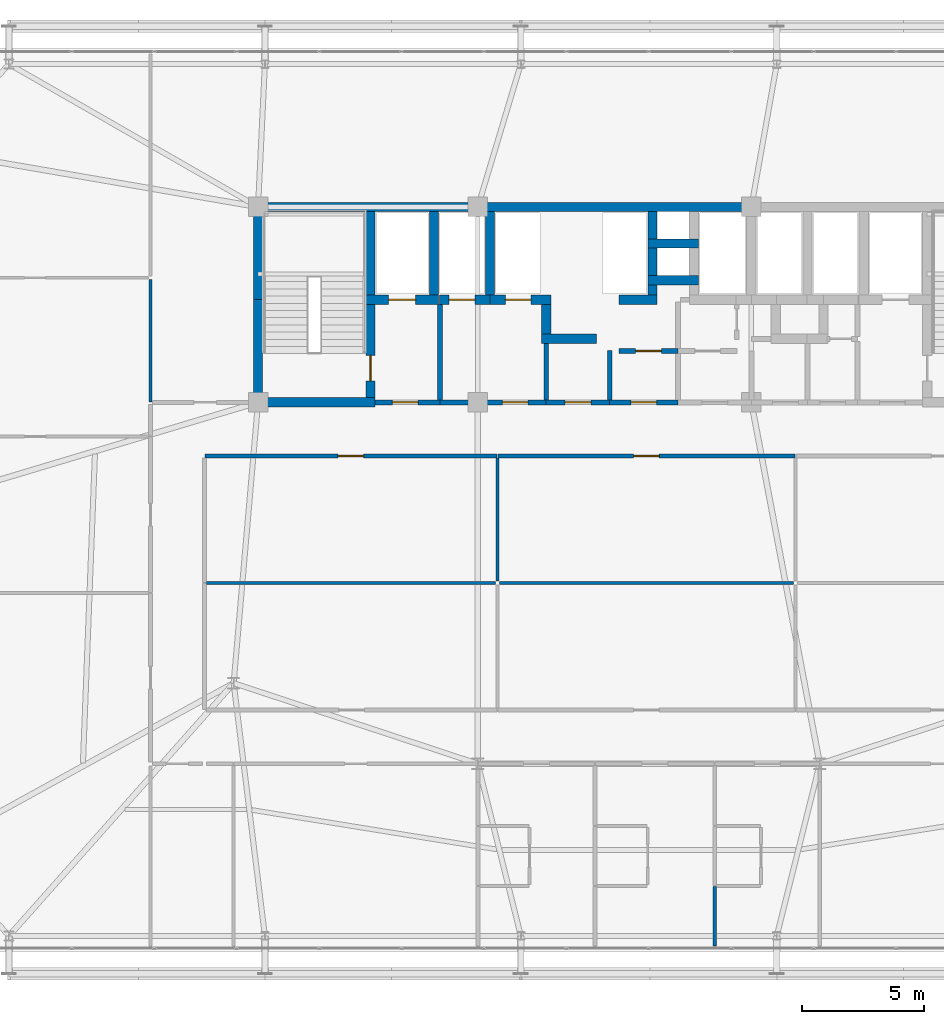
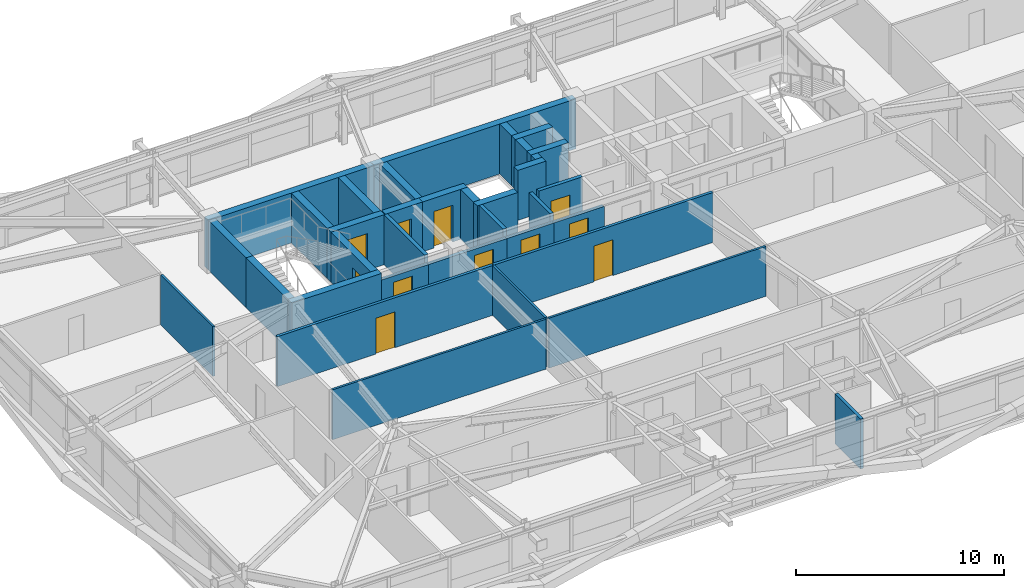
# One storey, part 53 of 59: 35 walls, 11 doors, 11 openings.
"""IFC4 building model written with IfcOpenShell, lengths in metres."""

from ifc_helpers import new_model, si_unit, direction, frame, frame_2d, origin, place, context, subcontext, project, spatial, rectangle, extrude, source, transform, mapped, material, layer, layer_set, type_object, element, fill, save


model = new_model("IFC4")

# Units and contexts
model_context = context("Model", 3, precision=1e-05, world=origin(), true_north=direction((0.0, 1.0)))
body_context = subcontext(model_context, "Body", "Model", "MODEL_VIEW")
ifc_project = project(units=[si_unit("LENGTHUNIT", "METRE"), si_unit("AREAUNIT", "SQUARE_METRE"), si_unit("VOLUMEUNIT", "CUBIC_METRE"), si_unit("PLANEANGLEUNIT", "RADIAN"), si_unit("MASSUNIT", "GRAM", prefix="KILO")], contexts=[model_context])

# Site, building, storey
site_placement = place(None, origin())
site = spatial("IfcSite", under=ifc_project, at=site_placement, CompositionType="ELEMENT")
building_placement = place(site_placement, origin())
building = spatial("IfcBuilding", under=site, at=building_placement, Name="Taldren Reach Tower", CompositionType="ELEMENT")
storey_placement = place(building_placement, frame((0.0, 0.0, 45.14990234375)))
storey = spatial("IfcBuildingStorey", under=building, at=storey_placement, Name="L13", CompositionType="ELEMENT", Elevation=45.14990234375)

# Walls
ifc_material_1 = material(Name="Concrete S80 (80 MPa)", Category="concrete")
ifc_layer_1 = layer(ifc_material_1, 0.3798828125)
ifc_layer_set_1 = layer_set([ifc_layer_1], Name="Concrete S80 (80 MPa)")
wall_type_1 = type_object("IfcWallType", Name="IW-CORE-380", PredefinedType="SHEAR", material=ifc_layer_set_1)
shared_shape_1 = source(origin(), body_context, "Body", "SweptSolid", [
    extrude(rectangle(XDim=9.18994140625, YDim=0.3798828125, at=frame_2d((4.594970703125, 0.0))), origin(), (0.0, 0.0, 1.0), 2.93017578125),
])
wall_1_placement = place(storey_placement, frame((18.81005859375, 32.0, 0.0), z_axis=(0.0, 0.0, 1.0), x_axis=(1.0, 0.0, 0.0)))
element("IfcWall", 1, at=wall_1_placement, inside=storey, type_object=wall_type_1, Name="Rear Core Shear Wall W-CORE-L13-NORTH1", PredefinedType="SHEAR", context=body_context, shape_type="MappedRepresentation", body=[
    mapped(shared_shape_1, transform((0.0, 0.0, 0.0), scale=1.0)),
])
shared_shape_2 = source(origin(), body_context, "Body", "SweptSolid", [
    extrude(rectangle(XDim=11.199951171875, YDim=0.3798828125, at=frame_2d((5.60009765625, 0.0))), origin(), (0.0, 0.0, 1.0), 2.93017578125),
])
wall_2_placement = place(storey_placement, frame((28.0, 32.0, 0.0), z_axis=(0.0, 0.0, 1.0), x_axis=(1.0, 0.0, 0.0)))
element("IfcWall", 2, at=wall_2_placement, inside=storey, type_object=wall_type_1, Name="Rear Core Shear Wall W-CORE-L13-NORTH2", PredefinedType="SHEAR", context=body_context, shape_type="MappedRepresentation", body=[
    mapped(shared_shape_2, transform((0.0, 0.0, 0.0), scale=1.0)),
])
shared_shape_3 = source(origin(), body_context, "Body", "SweptSolid", [
    extrude(rectangle(XDim=4.010009765625, YDim=0.3798828125, at=frame_2d((2.0048828125, 0.0))), origin(), (0.0, 0.0, 1.0), 2.93017578125),
])
wall_3_placement = place(storey_placement, frame((19.0, 24.18994140625, 0.0), z_axis=(0.0, 0.0, 1.0), x_axis=(0.0, 1.0, 0.0)))
element("IfcWall", 3, at=wall_3_placement, inside=storey, type_object=wall_type_1, Name="Rear Core Shear Wall W-CORE-L13-WEST1", PredefinedType="SHEAR", context=body_context, shape_type="MappedRepresentation", body=[
    mapped(shared_shape_3, transform((0.0, 0.0, 0.0), scale=1.0)),
])
shared_shape_4 = source(origin(), body_context, "Body", "SweptSolid", [
    extrude(rectangle(XDim=3.610107421875, YDim=0.3798828125, at=frame_2d((1.80517578125, 0.0))), origin(), (0.0, 0.0, 1.0), 2.93017578125),
])
wall_4_placement = place(storey_placement, frame((19.0, 28.199951171875, 0.0), z_axis=(0.0, 0.0, 1.0), x_axis=(0.0, 1.0, 0.0)))
element("IfcWall", 4, at=wall_4_placement, inside=storey, type_object=wall_type_1, Name="Rear Core Shear Wall W-CORE-L13-WEST2", PredefinedType="SHEAR", context=body_context, shape_type="MappedRepresentation", body=[
    mapped(shared_shape_4, transform((0.0, 0.0, 0.0), scale=1.0)),
])
shared_shape_5 = source(origin(), body_context, "Body", "SweptSolid", [
    extrude(rectangle(XDim=3.420166015625, YDim=0.3798828125, at=frame_2d((1.7099609375, 0.0))), origin(), (0.0, 0.0, 1.0), 2.93017578125),
])
for number, where, z_axis, x_axis, name in (
    (5, (23.60009765625, 28.389892578125, 0.0), (0.0, 0.0, 1.0), (0.0, 1.0, 0.0), "Rear Core Shear Wall W-INT-L13-001"),
    (6, (26.199951171875, 28.389892578125, 0.0), (0.0, 0.0, 1.0), (0.0, 1.0, 0.0), "Rear Core Shear Wall W-INT-L13-005"),
    (7, (28.5, 28.389892578125, 0.0), (0.0, 0.0, 1.0), (0.0, 1.0, 0.0), "Rear Core Shear Wall W-INT-L13-030"),
):
    element("IfcWall", number, at=place(storey_placement, frame(where, z_axis=z_axis, x_axis=x_axis)), inside=storey, type_object=wall_type_1, Name=name, PredefinedType="SHEAR", context=body_context, shape_type="MappedRepresentation", body=[
        mapped(shared_shape_5, transform((0.0, 0.0, 0.0), scale=1.0)),
    ])

# Wall, opening, door
shared_shape_6 = source(origin(), body_context, "Body", "SweptSolid", [
    extrude(rectangle(XDim=3.820068359375, YDim=0.3798828125, at=frame_2d((1.91015625, 0.0))), origin(), (0.0, 0.0, 1.0), 2.93017578125),
])
wall_5_placement = place(storey_placement, frame((23.60009765625, 24.18994140625, 0.0), z_axis=(0.0, 0.0, 1.0), x_axis=(0.0, 1.0, 0.0)))
wall_5 = element("IfcWall", 8, at=wall_5_placement, inside=storey, type_object=wall_type_1, Name="Rear Core Shear Wall W-INT-L13-002", PredefinedType="SHEAR", context=body_context, shape_type="MappedRepresentation", body=[
    mapped(shared_shape_6, transform((0.0, 0.0, 0.0), scale=1.0)),
])
shared_shape_7 = source(origin(), body_context, "Body", "SweptSolid", [
    extrude(rectangle(XDim=1.050048828125, YDim=2.10009765625, at=frame_2d((0.52490234375, 1.050048828125))), frame((0.0, 0.199951171875, 0.0), z_axis=(0.0, -1.0, 0.0), x_axis=(1.0, 0.0, 0.0)), (0.0, 0.0, 1.0), 0.39990234375),
])
opening_1_placement = place(wall_5_placement, frame((0.68505859375, 0.0, 0.0)))
opening_1 = element("IfcOpeningElement", 9, at=opening_1_placement, cuts=wall_5, Name="Opening DF-105", PredefinedType="OPENING", context=body_context, shape_type="MappedRepresentation", body=[
    mapped(shared_shape_7, transform((0.0, 0.0, 0.0), scale=1.0)),
])
ifc_material_2 = material(Name="Fire-Rated Care and Stair Exit Door")
door_type_1 = type_object("IfcDoorType", Name="ID-FIRE-105", OperationType="NOTDEFINED", PredefinedType="DOOR", material=ifc_material_2)
shared_shape_8 = source(origin(), body_context, "Body", "SweptSolid", [
    extrude(rectangle(XDim=1.050048828125, YDim=2.10009765625, at=frame_2d((0.52490234375, 1.050048828125))), frame((0.0, 0.02490234375, 0.0), z_axis=(0.0, -1.0, 0.0), x_axis=(1.0, 0.0, 0.0)), (0.0, 0.0, 1.0), 0.050048828125),
])
door_1_placement = place(opening_1_placement, origin())
door_1 = element("IfcDoor", 10, at=door_1_placement, inside=storey, type_object=door_type_1, Name="Fire Exit Stair Door DR-L13-001", OperationType="SINGLE_SWING_LEFT", OverallHeight=2.10009765625, OverallWidth=1.050048828125, PredefinedType="DOOR", context=body_context, shape_type="MappedRepresentation", body=[
    mapped(shared_shape_8, transform((0.0, 0.0, 0.0), scale=1.0)),
])
fill(opening_1, door_1)

# Wall
shared_shape_9 = source(origin(), body_context, "Body", "SweptSolid", [
    extrude(rectangle(XDim=4.97998046875, YDim=0.3798828125, at=frame_2d((2.489990234375, 0.0))), origin(), (0.0, 0.0, 1.0), 2.93017578125),
])
wall_6_placement = place(storey_placement, frame((18.81005859375, 24.0, 0.0), z_axis=(0.0, 0.0, 1.0), x_axis=(1.0, 0.0, 0.0)))
element("IfcWall", 11, at=wall_6_placement, inside=storey, type_object=wall_type_1, Name="Rear Core Shear Wall W-INT-L13-003", PredefinedType="SHEAR", context=body_context, shape_type="MappedRepresentation", body=[
    mapped(shared_shape_9, transform((0.0, 0.0, 0.0), scale=1.0)),
])

# Wall, opening, door
shared_shape_10 = source(origin(), body_context, "Body", "SweptSolid", [
    extrude(rectangle(XDim=2.97998046875, YDim=0.3798828125, at=frame_2d((1.489990234375, 0.0))), origin(), (0.0, 0.0, 1.0), 2.93017578125),
])
wall_7_placement = place(storey_placement, frame((23.409912109375, 28.199951171875, 0.0), z_axis=(0.0, 0.0, 1.0), x_axis=(1.0, 0.0, 0.0)))
wall_7 = element("IfcWall", 12, at=wall_7_placement, inside=storey, type_object=wall_type_1, Name="Rear Core Shear Wall W-INT-L13-004", PredefinedType="SHEAR", context=body_context, shape_type="MappedRepresentation", body=[
    mapped(shared_shape_10, transform((0.0, 0.0, 0.0), scale=1.0)),
])
shared_shape_11 = source(origin(), body_context, "Body", "SweptSolid", [
    extrude(rectangle(XDim=1.10009765625, YDim=2.14990234375, at=frame_2d((0.550048828125, 1.074951171875))), frame((0.0, 0.199951171875, 0.0), z_axis=(0.0, -1.0, 0.0), x_axis=(1.0, 0.0, 0.0)), (0.0, 0.0, 1.0), 0.39990234375),
])
opening_2_placement = place(wall_7_placement, frame((0.93994140625, 0.0, 0.0)))
opening_2 = element("IfcOpeningElement", 13, at=opening_2_placement, cuts=wall_7, Name="Opening LD-FL1", PredefinedType="OPENING", context=body_context, shape_type="MappedRepresentation", body=[
    mapped(shared_shape_11, transform((0.0, 0.0, 0.0), scale=1.0)),
])
ifc_material_3 = material(Name="Stainless Steel Gr 316 Emergency Lift Landing Door", Category="steel")
door_type_2 = type_object("IfcDoorType", Name="LD-EMG-110", OperationType="SLIDING_TO_LEFT", PredefinedType="DOOR", material=ifc_material_3)
shared_shape_12 = source(origin(), body_context, "Body", "SweptSolid", [
    extrude(rectangle(XDim=1.10009765625, YDim=2.14990234375, at=frame_2d((0.550048828125, 1.074951171875))), frame((0.0, 0.02490234375, 0.0), z_axis=(0.0, -1.0, 0.0), x_axis=(1.0, 0.0, 0.0)), (0.0, 0.0, 1.0), 0.050048828125),
])
door_2_placement = place(opening_2_placement, origin())
door_2 = element("IfcDoor", 14, at=door_2_placement, inside=storey, type_object=door_type_2, Name="Lift Landing Door LD-FL1-L13", OperationType="SLIDING_TO_LEFT", OverallHeight=2.14990234375, OverallWidth=1.10009765625, PredefinedType="DOOR", context=body_context, shape_type="MappedRepresentation", body=[
    mapped(shared_shape_12, transform((0.0, 0.0, 0.0), scale=1.0)),
])
fill(opening_2, door_2)

# Wall
ifc_material_4 = material(Name="Concrete S50 (50 MPa)", Category="concrete")
ifc_layer_2 = layer(ifc_material_4, 0.199951171875)
ifc_layer_set_2 = layer_set([ifc_layer_2], Name="Concrete S50 (50 MPa)")
wall_type_2 = type_object("IfcWallType", Name="IW-CORE-200", PredefinedType="SOLIDWALL", material=ifc_layer_set_2)
shared_shape_13 = source(origin(), body_context, "Body", "SweptSolid", [
    extrude(rectangle(XDim=3.909912109375, YDim=0.199951171875, at=frame_2d((1.955078125, 0.0))), origin(), (0.0, 0.0, 1.0), 2.93017578125),
])
wall_8_placement = place(storey_placement, frame((26.449951171875, 24.10009765625, 0.0), z_axis=(0.0, 0.0, 1.0), x_axis=(0.0, 1.0, 0.0)))
element("IfcWall", 15, at=wall_8_placement, inside=storey, type_object=wall_type_2, Name="Rear Core Shear Wall W-INT-L13-006", PredefinedType="SOLIDWALL", context=body_context, shape_type="MappedRepresentation", body=[
    mapped(shared_shape_13, transform((0.0, 0.0, 0.0), scale=1.0)),
])

# Wall, opening, door
shared_shape_14 = source(origin(), body_context, "Body", "SweptSolid", [
    extrude(rectangle(XDim=2.659912109375, YDim=0.199951171875, at=frame_2d((1.330078125, 0.0))), origin(), (0.0, 0.0, 1.0), 2.47021484375),
])
wall_9_placement = place(storey_placement, frame((23.7900390625, 24.0, 0.0), z_axis=(0.0, 0.0, 1.0), x_axis=(1.0, 0.0, 0.0)))
wall_9 = element("IfcWall", 16, at=wall_9_placement, inside=storey, type_object=wall_type_2, Name="Rear Core Shear Wall W-INT-L13-007", PredefinedType="SOLIDWALL", context=body_context, shape_type="MappedRepresentation", body=[
    mapped(shared_shape_14, transform((0.0, 0.0, 0.0), scale=1.0)),
])
shared_shape_15 = source(origin(), body_context, "Body", "SweptSolid", [
    extrude(rectangle(XDim=1.050048828125, YDim=2.10009765625, at=frame_2d((0.52490234375, 1.050048828125))), frame((0.0, 0.10986328125, 0.0), z_axis=(0.0, -1.0, 0.0), x_axis=(1.0, 0.0, 0.0)), (0.0, 0.0, 1.0), 0.219970703125),
])
opening_3_placement = place(wall_9_placement, frame((0.7099609375, 0.0, 0.0)))
opening_3 = element("IfcOpeningElement", 17, at=opening_3_placement, cuts=wall_9, Name="Opening DF-105", PredefinedType="OPENING", context=body_context, shape_type="MappedRepresentation", body=[
    mapped(shared_shape_15, transform((0.0, 0.0, 0.0), scale=1.0)),
])
door_3_placement = place(opening_3_placement, origin())
door_3 = element("IfcDoor", 18, at=door_3_placement, inside=storey, type_object=door_type_1, Name="Interior Door DR-L13-002", OperationType="SINGLE_SWING_LEFT", OverallHeight=2.10009765625, OverallWidth=1.050048828125, PredefinedType="DOOR", context=body_context, shape_type="MappedRepresentation", body=[
    mapped(shared_shape_8, transform((0.0, 0.0, 0.0), scale=1.0)),
])
fill(opening_3, door_3)

# Walls
shared_shape_16 = source(origin(), body_context, "Body", "SweptSolid", [
    extrude(rectangle(XDim=2.080078125, YDim=0.3798828125, at=frame_2d((1.0400390625, 0.0))), origin(), (0.0, 0.0, 1.0), 2.93017578125),
])
for number, where, z_axis, x_axis, name in (
    (19, (34.9599609375, 30.5, 0.0), (0.0, 0.0, 1.0), (1.0, 0.0, 0.0), "Rear Core Shear Wall W-INT-L13-016"),
    (20, (34.9599609375, 29.0, 0.0), (0.0, 0.0, 1.0), (1.0, 0.0, 0.0), "Rear Core Shear Wall W-INT-L13-021"),
):
    element("IfcWall", number, at=place(storey_placement, frame(where, z_axis=z_axis, x_axis=x_axis)), inside=storey, type_object=wall_type_1, Name=name, PredefinedType="SHEAR", context=body_context, shape_type="MappedRepresentation", body=[
        mapped(shared_shape_16, transform((0.0, 0.0, 0.0), scale=1.0)),
    ])
shared_shape_17 = source(origin(), body_context, "Body", "SweptSolid", [
    extrude(rectangle(XDim=1.1201171875, YDim=0.3798828125, at=frame_2d((0.56005859375, 0.0))), origin(), (0.0, 0.0, 1.0), 2.93017578125),
])
for number, where, z_axis, x_axis, name in (
    (21, (35.14990234375, 31.81005859375, 0.0), (0.0, 0.0, 1.0), (0.0, -1.0, 0.0), "Rear Core Shear Wall W-INT-L13-017"),
    (22, (35.14990234375, 30.31005859375, 0.0), (0.0, 0.0, 1.0), (0.0, -1.0, 0.0), "Rear Core Shear Wall W-INT-L13-019"),
):
    element("IfcWall", number, at=place(storey_placement, frame(where, z_axis=z_axis, x_axis=x_axis)), inside=storey, type_object=wall_type_1, Name=name, PredefinedType="SHEAR", context=body_context, shape_type="MappedRepresentation", body=[
        mapped(shared_shape_17, transform((0.0, 0.0, 0.0), scale=1.0)),
    ])
shared_shape_18 = source(origin(), body_context, "Body", "SweptSolid", [
    extrude(rectangle(XDim=1.219970703125, YDim=0.3798828125, at=frame_2d((0.60986328125, 0.0))), origin(), (0.0, 0.0, 1.0), 2.93017578125),
])
wall_10_placement = place(storey_placement, frame((30.800048828125, 28.010009765625, 0.0), z_axis=(0.0, 0.0, 1.0), x_axis=(0.0, -1.0, 0.0)))
element("IfcWall", 23, at=wall_10_placement, inside=storey, type_object=wall_type_1, Name="Rear Core Shear Wall W-INT-L13-022", PredefinedType="SHEAR", context=body_context, shape_type="MappedRepresentation", body=[
    mapped(shared_shape_18, transform((0.0, 0.0, 0.0), scale=1.0)),
])
shared_shape_19 = source(origin(), body_context, "Body", "SweptSolid", [
    extrude(rectangle(XDim=2.239990234375, YDim=0.3798828125, at=frame_2d((1.1201171875, 0.0))), origin(), (0.0, 0.0, 1.0), 2.93017578125),
])
wall_11_placement = place(storey_placement, frame((30.610107421875, 26.60009765625, 0.0), z_axis=(0.0, 0.0, 1.0), x_axis=(1.0, 0.0, 0.0)))
element("IfcWall", 24, at=wall_11_placement, inside=storey, type_object=wall_type_1, Name="Rear Core Shear Wall W-INT-L13-023", PredefinedType="SHEAR", context=body_context, shape_type="MappedRepresentation", body=[
    mapped(shared_shape_19, transform((0.0, 0.0, 0.0), scale=1.0)),
])

# Wall, opening, door
shared_shape_20 = source(origin(), body_context, "Body", "SweptSolid", [
    extrude(rectangle(XDim=2.070068359375, YDim=0.3798828125, at=frame_2d((1.03515625, 0.0))), origin(), (0.0, 0.0, 1.0), 2.93017578125),
])
wall_12_placement = place(storey_placement, frame((26.429931640625, 28.199951171875, 0.0), z_axis=(0.0, 0.0, 1.0), x_axis=(1.0, 0.0, 0.0)))
wall_12 = element("IfcWall", 25, at=wall_12_placement, inside=storey, type_object=wall_type_1, Name="Rear Core Shear Wall W-INT-L13-031", PredefinedType="SHEAR", context=body_context, shape_type="MappedRepresentation", body=[
    mapped(shared_shape_20, transform((0.0, 0.0, 0.0), scale=1.0)),
])
shared_shape_21 = source(origin(), body_context, "Body", "SweptSolid", [
    extrude(rectangle(XDim=1.050048828125, YDim=2.14990234375, at=frame_2d((0.52490234375, 1.074951171875))), frame((0.0, 0.199951171875, 0.0), z_axis=(0.0, -1.0, 0.0), x_axis=(1.0, 0.0, 0.0)), (0.0, 0.0, 1.0), 0.39990234375),
])
opening_4_placement = place(wall_12_placement, frame((0.39501953125, 0.0, 0.0)))
opening_4 = element("IfcOpeningElement", 26, at=opening_4_placement, cuts=wall_12, Name="Opening LD-PL1", PredefinedType="OPENING", context=body_context, shape_type="MappedRepresentation", body=[
    mapped(shared_shape_21, transform((0.0, 0.0, 0.0), scale=1.0)),
])
ifc_material_5 = material(Name="Stainless Steel Gr 316 Passenger Lift Landing Door", Category="steel")
door_type_3 = type_object("IfcDoorType", Name="LD-PAS-105", OperationType="SLIDING_TO_LEFT", PredefinedType="DOOR", material=ifc_material_5)
shared_shape_22 = source(origin(), body_context, "Body", "SweptSolid", [
    extrude(rectangle(XDim=1.050048828125, YDim=2.14990234375, at=frame_2d((0.52490234375, 1.074951171875))), frame((0.0, 0.02490234375, 0.0), z_axis=(0.0, -1.0, 0.0), x_axis=(1.0, 0.0, 0.0)), (0.0, 0.0, 1.0), 0.050048828125),
])
door_4_placement = place(opening_4_placement, origin())
door_4 = element("IfcDoor", 27, at=door_4_placement, inside=storey, type_object=door_type_3, Name="Lift Landing Door LD-PL1-L13", OperationType="SLIDING_TO_LEFT", OverallHeight=2.14990234375, OverallWidth=1.050048828125, PredefinedType="DOOR", context=body_context, shape_type="MappedRepresentation", body=[
    mapped(shared_shape_22, transform((0.0, 0.0, 0.0), scale=1.0)),
])
fill(opening_4, door_4)

shared_shape_23 = source(origin(), body_context, "Body", "SweptSolid", [
    extrude(rectangle(XDim=2.489990234375, YDim=0.3798828125, at=frame_2d((1.2451171875, 0.0))), origin(), (0.0, 0.0, 1.0), 2.93017578125),
])
wall_13_placement = place(storey_placement, frame((28.5, 28.199951171875, 0.0), z_axis=(0.0, 0.0, 1.0), x_axis=(1.0, 0.0, 0.0)))
wall_13 = element("IfcWall", 28, at=wall_13_placement, inside=storey, type_object=wall_type_1, Name="Rear Core Shear Wall W-INT-L13-032", PredefinedType="SHEAR", context=body_context, shape_type="MappedRepresentation", body=[
    mapped(shared_shape_23, transform((0.0, 0.0, 0.0), scale=1.0)),
])
opening_5_placement = place(wall_13_placement, frame((0.625, 0.0, 0.0)))
opening_5 = element("IfcOpeningElement", 29, at=opening_5_placement, cuts=wall_13, Name="Opening LD-PL2", PredefinedType="OPENING", context=body_context, shape_type="MappedRepresentation", body=[
    mapped(shared_shape_21, transform((0.0, 0.0, 0.0), scale=1.0)),
])
door_5_placement = place(opening_5_placement, origin())
door_5 = element("IfcDoor", 30, at=door_5_placement, inside=storey, type_object=door_type_3, Name="Lift Landing Door LD-PL2-L13", OperationType="SLIDING_TO_LEFT", OverallHeight=2.14990234375, OverallWidth=1.050048828125, PredefinedType="DOOR", context=body_context, shape_type="MappedRepresentation", body=[
    mapped(shared_shape_22, transform((0.0, 0.0, 0.0), scale=1.0)),
])
fill(opening_5, door_5)

# Wall
shared_shape_24 = source(origin(), body_context, "Body", "SweptSolid", [
    extrude(rectangle(XDim=2.309814453125, YDim=0.199951171875, at=frame_2d((1.15478515625, 0.0))), origin(), (0.0, 0.0, 1.0), 2.93017578125),
])
wall_14_placement = place(storey_placement, frame((30.800048828125, 26.409912109375, 0.0), z_axis=(0.0, 0.0, 1.0), x_axis=(0.0, -1.0, 0.0)))
element("IfcWall", 31, at=wall_14_placement, inside=storey, type_object=wall_type_2, Name="Rear Core Shear Wall W-INT-L13-033", PredefinedType="SOLIDWALL", context=body_context, shape_type="MappedRepresentation", body=[
    mapped(shared_shape_24, transform((0.0, 0.0, 0.0), scale=1.0)),
])

# Wall, opening, door
shared_shape_25 = source(origin(), body_context, "Body", "SweptSolid", [
    extrude(rectangle(XDim=4.35009765625, YDim=0.199951171875, at=frame_2d((2.175048828125, 0.0))), origin(), (0.0, 0.0, 1.0), 2.47021484375),
])
wall_15_placement = place(storey_placement, frame((30.800048828125, 24.0, 0.0), z_axis=(0.0, 0.0, 1.0), x_axis=(-1.0, 0.0, 0.0)))
wall_15 = element("IfcWall", 32, at=wall_15_placement, inside=storey, type_object=wall_type_2, Name="Rear Core Shear Wall W-INT-L13-034", PredefinedType="SOLIDWALL", context=body_context, shape_type="MappedRepresentation", body=[
    mapped(shared_shape_25, transform((0.0, 0.0, 0.0), scale=1.0)),
])
opening_6_placement = place(wall_15_placement, frame((0.75, 0.0, 0.0)))
opening_6 = element("IfcOpeningElement", 33, at=opening_6_placement, cuts=wall_15, Name="Opening DF-105", PredefinedType="OPENING", context=body_context, shape_type="MappedRepresentation", body=[
    mapped(shared_shape_15, transform((0.0, 0.0, 0.0), scale=1.0)),
])
door_6_placement = place(opening_6_placement, frame((1.050048828125, 0.0, 0.0), z_axis=(0.0, 0.0, 1.0), x_axis=(-1.0, 0.0, 0.0)))
door_6 = element("IfcDoor", 34, at=door_6_placement, inside=storey, type_object=door_type_1, Name="Interior Door DR-L13-005", OperationType="SINGLE_SWING_RIGHT", OverallHeight=2.10009765625, OverallWidth=1.050048828125, PredefinedType="DOOR", context=body_context, shape_type="MappedRepresentation", body=[
    mapped(shared_shape_8, transform((0.0, 0.0, 0.0), scale=1.0)),
])
fill(opening_6, door_6)

# Walls
shared_shape_26 = source(origin(), body_context, "Body", "SweptSolid", [
    extrude(rectangle(XDim=1.56005859375, YDim=0.3798828125, at=frame_2d((0.780029296875, 0.0))), origin(), (0.0, 0.0, 1.0), 2.93017578125),
])
wall_16_placement = place(storey_placement, frame((33.780029296875, 28.199951171875, 0.0), z_axis=(0.0, 0.0, 1.0), x_axis=(1.0, 0.0, 0.0)))
element("IfcWall", 35, at=wall_16_placement, inside=storey, type_object=wall_type_1, Name="Rear Core Shear Wall W-INT-L13-035", PredefinedType="SHEAR", context=body_context, shape_type="MappedRepresentation", body=[
    mapped(shared_shape_26, transform((0.0, 0.0, 0.0), scale=1.0)),
])
shared_shape_27 = source(origin(), body_context, "Body", "SweptSolid", [
    extrude(rectangle(XDim=0.420166015625, YDim=0.3798828125, at=frame_2d((0.2099609375, 0.0))), origin(), (0.0, 0.0, 1.0), 2.93017578125),
])
wall_17_placement = place(storey_placement, frame((35.14990234375, 28.389892578125, 0.0), z_axis=(0.0, 0.0, 1.0), x_axis=(0.0, 1.0, 0.0)))
element("IfcWall", 36, at=wall_17_placement, inside=storey, type_object=wall_type_1, Name="Rear Core Shear Wall W-INT-L13-036", PredefinedType="SHEAR", context=body_context, shape_type="MappedRepresentation", body=[
    mapped(shared_shape_27, transform((0.0, 0.0, 0.0), scale=1.0)),
])
shared_shape_28 = source(origin(), body_context, "Body", "SweptSolid", [
    extrude(rectangle(XDim=2.02001953125, YDim=0.199951171875, at=frame_2d((1.010009765625, 0.0))), origin(), (0.0, 0.0, 1.0), 2.93017578125),
])
wall_18_placement = place(storey_placement, frame((33.39990234375, 26.1201171875, 0.0), z_axis=(0.0, 0.0, 1.0), x_axis=(0.0, -1.0, 0.0)))
element("IfcWall", 37, at=wall_18_placement, inside=storey, type_object=wall_type_2, Name="Rear Core Shear Wall W-INT-L13-044", PredefinedType="SOLIDWALL", context=body_context, shape_type="MappedRepresentation", body=[
    mapped(shared_shape_28, transform((0.0, 0.0, 0.0), scale=1.0)),
])

# Wall, opening, door
shared_shape_29 = source(origin(), body_context, "Body", "SweptSolid", [
    extrude(rectangle(XDim=2.599853515625, YDim=0.199951171875, at=frame_2d((1.2998046875, 0.0))), origin(), (0.0, 0.0, 1.0), 2.47021484375),
])
wall_19_placement = place(storey_placement, frame((33.39990234375, 24.0, 0.0), z_axis=(0.0, 0.0, 1.0), x_axis=(-1.0, 0.0, 0.0)))
wall_19 = element("IfcWall", 38, at=wall_19_placement, inside=storey, type_object=wall_type_2, Name="Rear Core Shear Wall W-INT-L13-045", PredefinedType="SOLIDWALL", context=body_context, shape_type="MappedRepresentation", body=[
    mapped(shared_shape_29, transform((0.0, 0.0, 0.0), scale=1.0)),
])
opening_7_placement = place(wall_19_placement, frame((0.77490234375, 0.0, 0.0)))
opening_7 = element("IfcOpeningElement", 39, at=opening_7_placement, cuts=wall_19, Name="Opening DF-105", PredefinedType="OPENING", context=body_context, shape_type="MappedRepresentation", body=[
    mapped(shared_shape_15, transform((0.0, 0.0, 0.0), scale=1.0)),
])
door_7_placement = place(opening_7_placement, frame((1.050048828125, 0.0, 0.0), z_axis=(0.0, 0.0, 1.0), x_axis=(-1.0, 0.0, 0.0)))
door_7 = element("IfcDoor", 40, at=door_7_placement, inside=storey, type_object=door_type_1, Name="Interior Door DR-L13-006", OperationType="SINGLE_SWING_RIGHT", OverallHeight=2.10009765625, OverallWidth=1.050048828125, PredefinedType="DOOR", context=body_context, shape_type="MappedRepresentation", body=[
    mapped(shared_shape_8, transform((0.0, 0.0, 0.0), scale=1.0)),
])
fill(opening_7, door_7)

shared_shape_30 = source(origin(), body_context, "Body", "SweptSolid", [
    extrude(rectangle(XDim=2.419921875, YDim=0.199951171875, at=frame_2d((1.2099609375, 0.0))), origin(), (0.0, 0.0, 1.0), 2.93017578125),
])
wall_20_placement = place(storey_placement, frame((33.780029296875, 26.10009765625, 0.0), z_axis=(0.0, 0.0, 1.0), x_axis=(1.0, 0.0, 0.0)))
wall_20 = element("IfcWall", 41, at=wall_20_placement, inside=storey, type_object=wall_type_2, Name="Rear Core Shear Wall W-INT-L13-046", PredefinedType="SOLIDWALL", context=body_context, shape_type="MappedRepresentation", body=[
    mapped(shared_shape_30, transform((0.0, 0.0, 0.0), scale=1.0)),
])
opening_8_placement = place(wall_20_placement, frame((0.68505859375, 0.0, 0.0)))
opening_8 = element("IfcOpeningElement", 42, at=opening_8_placement, cuts=wall_20, Name="Opening DF-105", PredefinedType="OPENING", context=body_context, shape_type="MappedRepresentation", body=[
    mapped(shared_shape_15, transform((0.0, 0.0, 0.0), scale=1.0)),
])
door_8_placement = place(opening_8_placement, origin())
door_8 = element("IfcDoor", 43, at=door_8_placement, inside=storey, type_object=door_type_1, Name="Interior Door DR-L13-007", OperationType="SINGLE_SWING_RIGHT", OverallHeight=2.10009765625, OverallWidth=1.050048828125, PredefinedType="DOOR", context=body_context, shape_type="MappedRepresentation", body=[
    mapped(shared_shape_8, transform((0.0, 0.0, 0.0), scale=1.0)),
])
fill(opening_8, door_8)

shared_shape_31 = source(origin(), body_context, "Body", "SweptSolid", [
    extrude(rectangle(XDim=2.800048828125, YDim=0.199951171875, at=frame_2d((1.39990234375, 0.0))), origin(), (0.0, 0.0, 1.0), 2.47021484375),
])
wall_21_placement = place(storey_placement, frame((36.199951171875, 24.0, 0.0), z_axis=(0.0, 0.0, 1.0), x_axis=(-1.0, 0.0, 0.0)))
wall_21 = element("IfcWall", 44, at=wall_21_placement, inside=storey, type_object=wall_type_2, Name="Rear Core Shear Wall W-INT-L13-048", PredefinedType="SOLIDWALL", context=body_context, shape_type="MappedRepresentation", body=[
    mapped(shared_shape_31, transform((0.0, 0.0, 0.0), scale=1.0)),
])
opening_9_placement = place(wall_21_placement, frame((0.875, 0.0, 0.0)))
opening_9 = element("IfcOpeningElement", 45, at=opening_9_placement, cuts=wall_21, Name="Opening DF-105", PredefinedType="OPENING", context=body_context, shape_type="MappedRepresentation", body=[
    mapped(shared_shape_15, transform((0.0, 0.0, 0.0), scale=1.0)),
])
door_9_placement = place(opening_9_placement, frame((1.050048828125, 0.0, 0.0), z_axis=(0.0, 0.0, 1.0), x_axis=(-1.0, 0.0, 0.0)))
door_9 = element("IfcDoor", 46, at=door_9_placement, inside=storey, type_object=door_type_1, Name="Interior Door DR-L13-008", OperationType="SINGLE_SWING_RIGHT", OverallHeight=2.10009765625, OverallWidth=1.050048828125, PredefinedType="DOOR", context=body_context, shape_type="MappedRepresentation", body=[
    mapped(shared_shape_8, transform((0.0, 0.0, 0.0), scale=1.0)),
])
fill(opening_9, door_9)

ifc_material_6 = material(Name="Fire-Rated Acoustic Plasterboard Stud Wall", Category="gypsum")
ifc_layer_3 = layer(ifc_material_6, 0.159912109375)
ifc_layer_set_3 = layer_set([ifc_layer_3], Name="Fire-Rated Acoustic Plasterboard Stud Wall")
wall_type_3 = type_object("IfcWallType", Name="IW-FIRE-160", PredefinedType="PARTITIONING", material=ifc_layer_set_3)
shared_shape_32 = source(origin(), body_context, "Body", "SweptSolid", [
    extrude(rectangle(XDim=12.159423828125, YDim=0.159912109375, at=frame_2d((6.07958984375, 0.0))), origin(), (0.0, 0.0, 1.0), 2.93017578125),
])
wall_22_placement = place(storey_placement, frame((40.979736328125, 21.800048828125, 0.0), z_axis=(0.0, 0.0, 1.0), x_axis=(-1.0, 0.0, 0.0)))
wall_22 = element("IfcWall", 47, at=wall_22_placement, inside=storey, type_object=wall_type_3, Name="Interior Partition Wall W-INT-L13-063", PredefinedType="PARTITIONING", context=body_context, shape_type="MappedRepresentation", body=[
    mapped(shared_shape_32, transform((0.0, 0.0, 0.0), scale=1.0)),
])
shared_shape_33 = source(origin(), body_context, "Body", "SweptSolid", [
    extrude(rectangle(XDim=1.050048828125, YDim=2.10009765625, at=frame_2d((0.52490234375, 1.050048828125))), frame((0.0, 0.08984375, 0.0), z_axis=(0.0, -1.0, 0.0), x_axis=(1.0, 0.0, 0.0)), (0.0, 0.0, 1.0), 0.179931640625),
])
opening_10_placement = place(wall_22_placement, frame((5.5546875, 0.0, 0.0)))
opening_10 = element("IfcOpeningElement", 48, at=opening_10_placement, cuts=wall_22, Name="Opening DF-105", PredefinedType="OPENING", context=body_context, shape_type="MappedRepresentation", body=[
    mapped(shared_shape_33, transform((0.0, 0.0, 0.0), scale=1.0)),
])
door_10_placement = place(opening_10_placement, origin())
door_10 = element("IfcDoor", 49, at=door_10_placement, inside=storey, type_object=door_type_1, Name="Interior Door DR-L13-015", OperationType="SINGLE_SWING_RIGHT", OverallHeight=2.10009765625, OverallWidth=1.050048828125, PredefinedType="DOOR", context=body_context, shape_type="MappedRepresentation", body=[
    mapped(shared_shape_8, transform((0.0, 0.0, 0.0), scale=1.0)),
])
fill(opening_10, door_10)

# Walls
ifc_material_7 = material(Name="Insulated Residential Stud Partition", Category="gypsum")
ifc_layer_4 = layer(ifc_material_7, 0.1201171875)
ifc_layer_set_4 = layer_set([ifc_layer_4], Name="Insulated Residential Stud Partition")
wall_type_4 = type_object("IfcWallType", Name="IW-PART-120", PredefinedType="PARTITIONING", material=ifc_layer_set_4)
shared_shape_34 = source(origin(), body_context, "Body", "SweptSolid", [
    extrude(rectangle(XDim=12.0400390625, YDim=0.1201171875, at=frame_2d((6.02001953125, 0.0))), origin(), (0.0, 0.0, 1.0), 2.93017578125),
])
wall_23_placement = place(storey_placement, frame((28.8798828125, 16.60009765625, 0.0), z_axis=(0.0, 0.0, 1.0), x_axis=(1.0, 0.0, 0.0)))
element("IfcWall", 50, at=wall_23_placement, inside=storey, type_object=wall_type_4, Name="Interior Partition Wall W-INT-L13-090", PredefinedType="PARTITIONING", context=body_context, shape_type="MappedRepresentation", body=[
    mapped(shared_shape_34, transform((0.0, 0.0, 0.0), scale=1.0)),
])
shared_shape_35 = source(origin(), body_context, "Body", "SweptSolid", [
    extrude(rectangle(XDim=5.0400390625, YDim=0.1201171875, at=frame_2d((2.52001953125, 0.0))), origin(), (0.0, 0.0, 1.0), 2.93017578125),
])
wall_24_placement = place(storey_placement, frame((28.800048828125, 21.719970703125, 0.0), z_axis=(0.0, 0.0, 1.0), x_axis=(0.0, -1.0, 0.0)))
element("IfcWall", 51, at=wall_24_placement, inside=storey, type_object=wall_type_4, Name="Interior Partition Wall W-INT-L13-089", PredefinedType="PARTITIONING", context=body_context, shape_type="MappedRepresentation", body=[
    mapped(shared_shape_35, transform((0.0, 0.0, 0.0), scale=1.0)),
])
shared_shape_36 = source(origin(), body_context, "Body", "SweptSolid", [
    extrude(rectangle(XDim=2.44775390625, YDim=0.159912109375, at=frame_2d((1.223876953125, 0.0))), origin(), (0.0, 0.0, 1.0), 2.93017578125),
])
wall_25_placement = place(storey_placement, frame((37.699951171875, 4.1796875, 0.0), z_axis=(0.0, 0.0, 1.0), x_axis=(0.0, -1.0, 0.0)))
element("IfcWall", 52, at=wall_25_placement, inside=storey, type_object=wall_type_3, Name="Interior Partition Wall W-INT-L13-108", PredefinedType="PARTITIONING", context=body_context, shape_type="MappedRepresentation", body=[
    mapped(shared_shape_36, transform((0.0, 0.0, 0.0), scale=1.0)),
])

# Wall, opening, door
shared_shape_37 = source(origin(), body_context, "Body", "SweptSolid", [
    extrude(rectangle(XDim=11.95947265625, YDim=0.159912109375, at=frame_2d((5.979736328125, 0.0))), origin(), (0.0, 0.0, 1.0), 2.93017578125),
])
wall_26_placement = place(storey_placement, frame((28.77978515625, 21.800048828125, 0.0), z_axis=(0.0, 0.0, 1.0), x_axis=(-1.0, 0.0, 0.0)))
wall_26 = element("IfcWall", 53, at=wall_26_placement, inside=storey, type_object=wall_type_3, Name="Interior Partition Wall W-INT-L13-061", PredefinedType="PARTITIONING", context=body_context, shape_type="MappedRepresentation", body=[
    mapped(shared_shape_37, transform((0.0, 0.0, 0.0), scale=1.0)),
])
opening_11_placement = place(wall_26_placement, frame((5.454833984375, 0.0, 0.0)))
opening_11 = element("IfcOpeningElement", 54, at=opening_11_placement, cuts=wall_26, Name="Opening DF-105", PredefinedType="OPENING", context=body_context, shape_type="MappedRepresentation", body=[
    mapped(shared_shape_33, transform((0.0, 0.0, 0.0), scale=1.0)),
])
door_11_placement = place(opening_11_placement, origin())
door_11 = element("IfcDoor", 55, at=door_11_placement, inside=storey, type_object=door_type_1, Name="Interior Door DR-L13-014", OperationType="SINGLE_SWING_LEFT", OverallHeight=2.10009765625, OverallWidth=1.050048828125, PredefinedType="DOOR", context=body_context, shape_type="MappedRepresentation", body=[
    mapped(shared_shape_8, transform((0.0, 0.0, 0.0), scale=1.0)),
])
fill(opening_11, door_11)

# Walls
shared_shape_38 = source(origin(), body_context, "Body", "SweptSolid", [
    extrude(rectangle(XDim=11.840087890625, YDim=0.1201171875, at=frame_2d((5.919921875, 0.0))), origin(), (0.0, 0.0, 1.0), 2.93017578125),
])
wall_27_placement = place(storey_placement, frame((16.8798828125, 16.60009765625, 0.0), z_axis=(0.0, 0.0, 1.0), x_axis=(1.0, 0.0, 0.0)))
element("IfcWall", 56, at=wall_27_placement, inside=storey, type_object=wall_type_4, Name="Interior Partition Wall W-INT-L13-087", PredefinedType="PARTITIONING", context=body_context, shape_type="MappedRepresentation", body=[
    mapped(shared_shape_38, transform((0.0, 0.0, 0.0), scale=1.0)),
])
shared_shape_39 = source(origin(), body_context, "Body", "SweptSolid", [
    extrude(rectangle(XDim=4.999755859375, YDim=0.1201171875, at=frame_2d((2.5, 0.0))), origin(), (0.0, 0.0, 1.0), 2.93017578125),
])
wall_28_placement = place(storey_placement, frame((14.60009765625, 29.02001953125, 0.0), z_axis=(0.0, 0.0, 1.0), x_axis=(0.0, -1.0, 0.0)))
element("IfcWall", 57, at=wall_28_placement, inside=storey, type_object=wall_type_4, Name="Interior Partition Wall W-INT-L13-120", PredefinedType="PARTITIONING", context=body_context, shape_type="MappedRepresentation", body=[
    mapped(shared_shape_39, transform((0.0, 0.0, 0.0), scale=1.0)),
])

save(model, "model.ifc")
